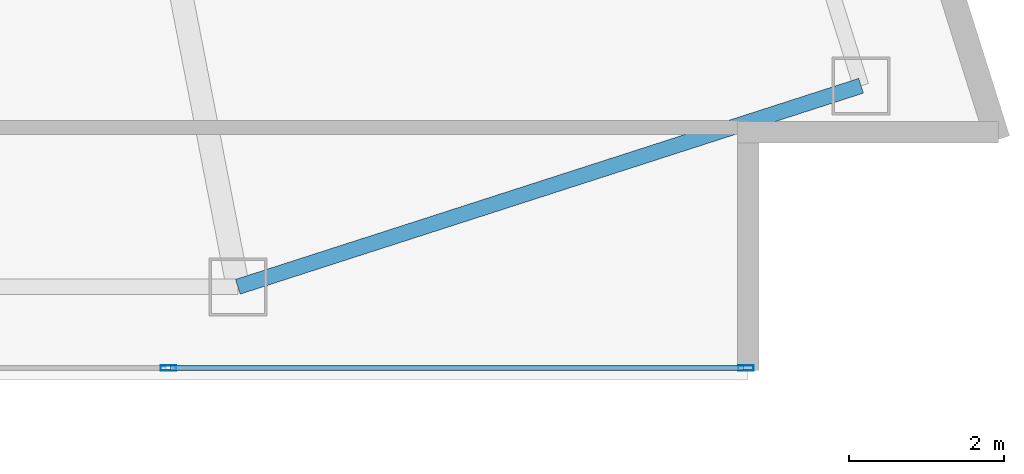
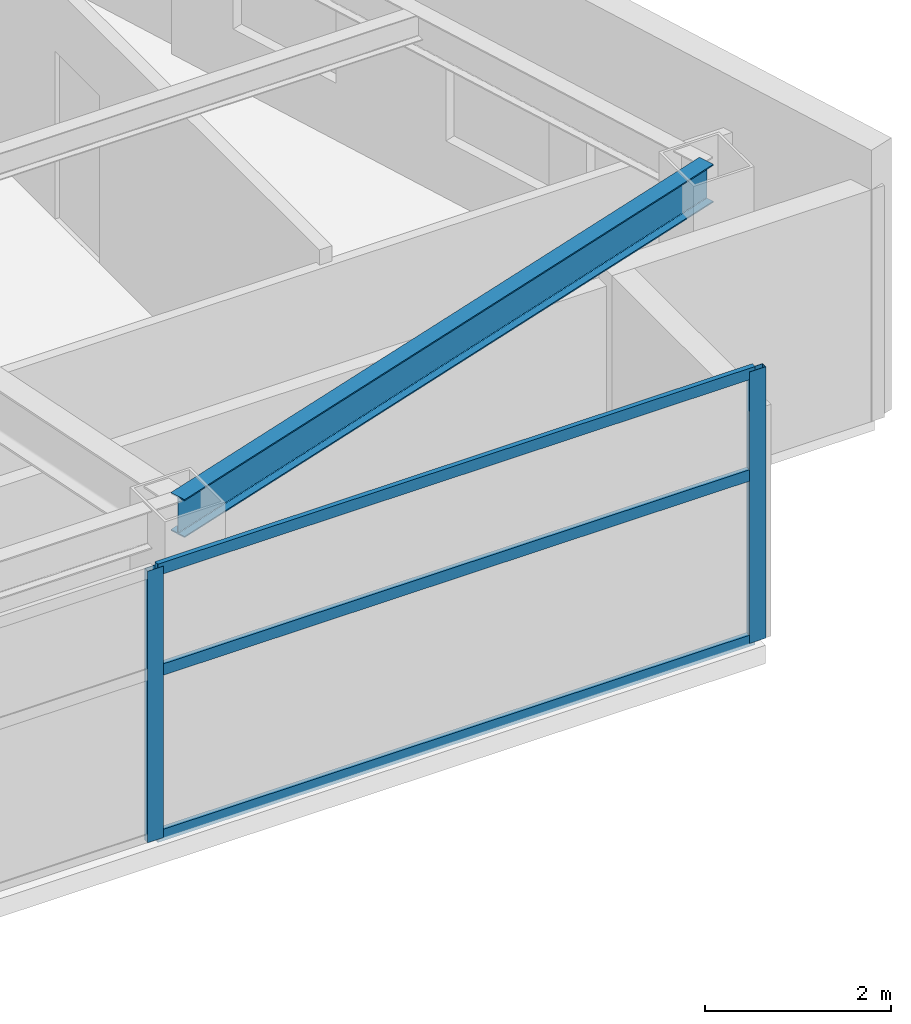
# One storey, part 14 of 28: 5 members, 1 beam, 1 element without a shape of its own.
"""IFC4 building model written with IfcOpenShell, lengths in metres."""

from ifc_helpers import new_model, si_unit, direction, frame, origin, origin_2d, place, context, subcontext, project, spatial, hollow_rectangle, i_section, extrude, material, layer, layer_set, material_profile, profile_set, type_object, element, aggregate, save


model = new_model("IFC4")

# Units and contexts
model_context = context("Model", 3, precision=1e-05, world=origin(), true_north=direction((0.0, 1.0)))
body_context = subcontext(model_context, "Body", "Model", "MODEL_VIEW")
ifc_project = project(units=[si_unit("LENGTHUNIT", "METRE"), si_unit("AREAUNIT", "SQUARE_METRE"), si_unit("VOLUMEUNIT", "CUBIC_METRE"), si_unit("PLANEANGLEUNIT", "RADIAN"), si_unit("MASSUNIT", "GRAM", prefix="KILO")], contexts=[model_context])

# Site, building, storey
site_placement = place(None, origin())
site = spatial("IfcSite", under=ifc_project, at=site_placement, CompositionType="ELEMENT")
building_placement = place(site_placement, origin())
building = spatial("IfcBuilding", under=site, at=building_placement, Name="Calvorn Quay Hotel", CompositionType="ELEMENT")
storey_placement = place(building_placement, frame((0.0, 0.0, 127.800048828125)))
storey = spatial("IfcBuildingStorey", under=building, at=storey_placement, Name="L31", CompositionType="ELEMENT", Elevation=127.800048828125)

# Beam
ifc_material_1 = material(Name="Steel Q355B", Category="steel")
ifc_material_profile_1 = material_profile(ifc_material_1, i_section(OverallWidth=0.199951171875, OverallDepth=0.5, WebThickness=0.010009765625, FlangeThickness=0.01611328125, FilletRadius=0.01611328125, at=origin_2d()), Name="HN500x200x10x16")
ifc_profile_set_1 = profile_set([ifc_material_profile_1], Name="Steel Q355B")
beam_type = type_object("IfcBeamType", Name="BM-SPANDREL-Z1", PredefinedType="SPANDREL", material=ifc_profile_set_1)
beam_placement = place(storey_placement, frame((49.39990234375, 3.60009765625, 3.2900390625), z_axis=(0.951725188386, 0.306951406237, 0.0), x_axis=(-0.306951406237, 0.951725188386, 0.0)))
element("IfcBeam", 1, at=beam_placement, inside=storey, type_object=beam_type, Name="Beam BSP-L31-S6", PredefinedType="SPANDREL", context=body_context, shape_type="SweptSolid", body=[
    extrude(i_section(OverallWidth=0.199951171875, OverallDepth=0.5, WebThickness=0.010009765625, FlangeThickness=0.01611328125, FilletRadius=0.01611328125, at=origin_2d()), origin(), (0.0, 0.0, 1.0), 8.469970703125),
])

# Curtain wall, members
ifc_material_2 = material(Name="Pale Anodised Aluminium and Low-E Glass", Category="aluminium")
ifc_layer = layer(ifc_material_2, 0.219970703125)
ifc_layer_set = layer_set([ifc_layer], Name="CW-SYS-Z2")
curtain_wall_type = type_object("IfcCurtainWallType", Name="CW-SYS-Z2", PredefinedType="NOTDEFINED", material=ifc_layer_set)
curtain_wall_placement = place(storey_placement, origin())
curtain_wall = element("IfcCurtainWall", 2, at=curtain_wall_placement, inside=storey, type_object=curtain_wall_type, Name="Tower South Waterfront Curtain Wall (L31)", PredefinedType="NOTDEFINED")
ifc_material_3 = material(Name="Pale Anodised Aluminium 6063-T6", Category="aluminium")
ifc_material_profile_2 = material_profile(ifc_material_3, hollow_rectangle(XDim=0.070068359375, YDim=0.199951171875, WallThickness=0.00390625, at=origin_2d()), Name="ALU-M200x70x4")
ifc_profile_set_2 = profile_set([ifc_material_profile_2], Name="Pale Anodised Aluminium 6063-T6")
member_type_1 = type_object("IfcMemberType", Name="CW-SYS-Z2-MUL", PredefinedType="MULLION", material=ifc_profile_set_2)
member_1_placement = place(storey_placement, frame((48.5, 2.550048828125, 0.0), z_axis=(0.0, 0.0, 1.0), x_axis=(0.0, 1.0, 0.0)))
member_1 = element("IfcMember", 3, at=member_1_placement, type_object=member_type_1, Name="CW-L31-S mullion 6", PredefinedType="MULLION", context=body_context, shape_type="SweptSolid", body=[
    extrude(hollow_rectangle(XDim=0.070068359375, YDim=0.199951171875, WallThickness=0.00390625, at=origin_2d()), origin(), (0.0, 0.0, 1.0), 3.56005859375),
])
member_2_placement = place(storey_placement, frame((55.969970703125, 2.550048828125, 0.0), z_axis=(0.0, 0.0, 1.0), x_axis=(0.0, 1.0, 0.0)))
member_2 = element("IfcMember", 4, at=member_2_placement, type_object=member_type_1, Name="CW-L31-S mullion 7", PredefinedType="MULLION", context=body_context, shape_type="SweptSolid", body=[
    extrude(hollow_rectangle(XDim=0.070068359375, YDim=0.199951171875, WallThickness=0.00390625, at=origin_2d()), origin(), (0.0, 0.0, 1.0), 3.56005859375),
])
ifc_material_4 = material(Name="Pale Anodised Aluminium 6063-T6", Category="aluminium")
ifc_material_profile_3 = material_profile(ifc_material_4, hollow_rectangle(XDim=0.06005859375, YDim=0.14990234375, WallThickness=0.00341796875, at=origin_2d()), Name="ALU-T150x60x3.5")
ifc_profile_set_3 = profile_set([ifc_material_profile_3], Name="Pale Anodised Aluminium 6063-T6")
member_type_2 = type_object("IfcMemberType", Name="CW-SYS-Z2-TRN", PredefinedType="USERDEFINED", material=ifc_profile_set_3)
member_3_placement = place(storey_placement, frame((48.530029296875, 2.550048828125, 0.030029296875), z_axis=(1.0, 0.0, 0.0), x_axis=(0.0, 1.0, 0.0)))
member_3 = element("IfcMember", 5, at=member_3_placement, type_object=member_type_2, Name="CW-L31-S transom 6.1", ObjectType="TRANSOM", PredefinedType="USERDEFINED", context=body_context, shape_type="SweptSolid", body=[
    extrude(hollow_rectangle(XDim=0.06005859375, YDim=0.14990234375, WallThickness=0.00341796875, at=origin_2d()), origin(), (0.0, 0.0, 1.0), 7.409912109375),
])
member_4_placement = place(storey_placement, frame((48.530029296875, 2.550048828125, 2.199951171875), z_axis=(1.0, 0.0, 0.0), x_axis=(0.0, 1.0, 0.0)))
member_4 = element("IfcMember", 6, at=member_4_placement, type_object=member_type_2, Name="CW-L31-S transom 6.2", ObjectType="TRANSOM", PredefinedType="USERDEFINED", context=body_context, shape_type="SweptSolid", body=[
    extrude(hollow_rectangle(XDim=0.06005859375, YDim=0.14990234375, WallThickness=0.00341796875, at=origin_2d()), origin(), (0.0, 0.0, 1.0), 7.409912109375),
])
member_5_placement = place(storey_placement, frame((48.530029296875, 2.550048828125, 3.530029296875), z_axis=(1.0, 0.0, 0.0), x_axis=(0.0, 1.0, 0.0)))
member_5 = element("IfcMember", 7, at=member_5_placement, type_object=member_type_2, Name="CW-L31-S transom 6.3", ObjectType="TRANSOM", PredefinedType="USERDEFINED", context=body_context, shape_type="SweptSolid", body=[
    extrude(hollow_rectangle(XDim=0.06005859375, YDim=0.14990234375, WallThickness=0.00341796875, at=origin_2d()), origin(), (0.0, 0.0, 1.0), 7.409912109375),
])
aggregate(curtain_wall, [member_1, member_2, member_3, member_4, member_5])

save(model, "model.ifc")
